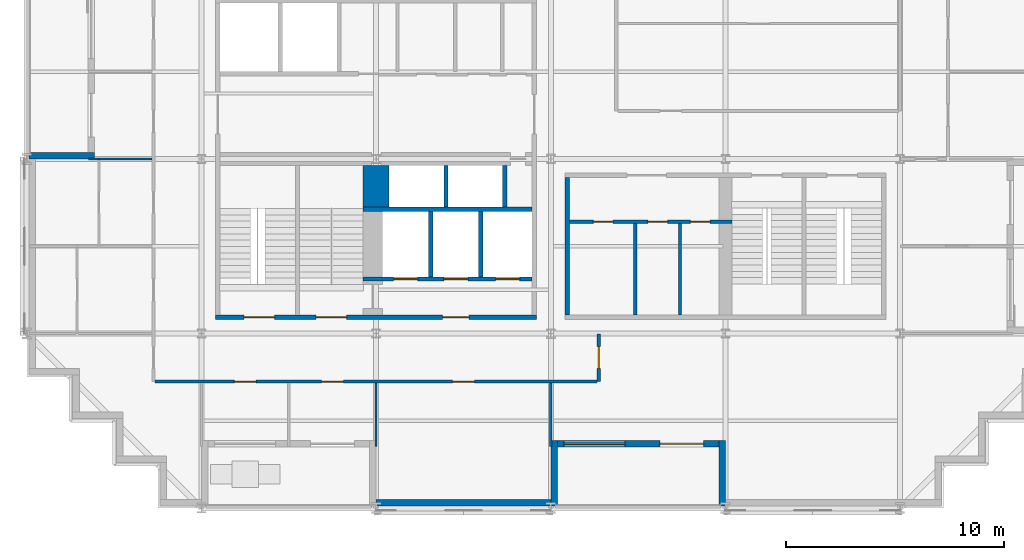
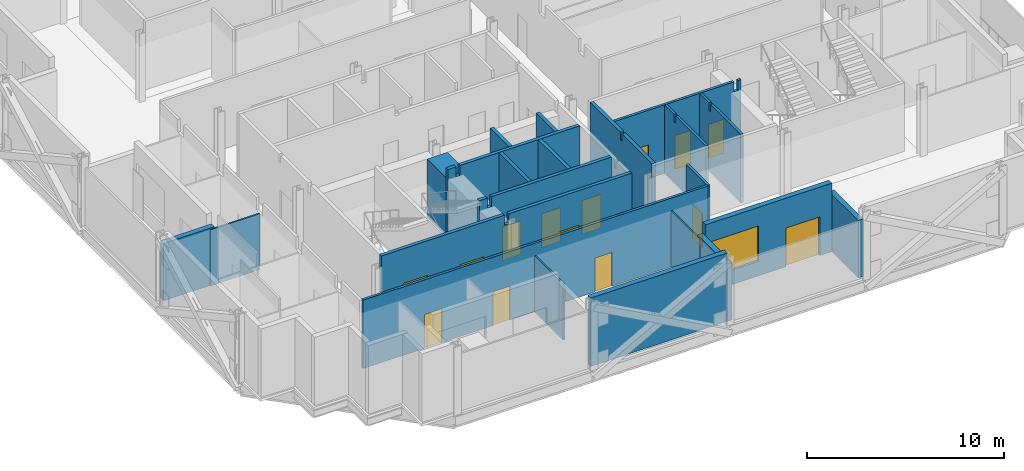
# One storey, part 6 of 15: 23 walls, 14 doors, 1 window, 15 openings.
"""IFC4 building model written with IfcOpenShell, lengths in metres."""

import ifcopenshell
import ifcopenshell.guid

model = None  # the IFC model being written
_history = None  # IfcOwnerHistory: only IFC2X3 demands one
_inside = {}  # id of a spatial element -> (the spatial element, [elements in it])
_under = {}  # id of a project, library or spatial element -> (it, [spatial elements below it])
_declared = {}  # id of a project -> (the project, [libraries it declares])
_typed = {}  # id of a type object -> (the type object, [elements of that type])
_made_of = {}  # id of a material, layer set ... -> (it, [elements and type objects made of it])


def new_model(schema):
    """Start an empty IFC model of exactly this schema.

    Asked for "IFC4X3", IfcOpenShell would pick the latest addendum, in which some entities
    have other attributes; the version numbers below select the first issue.
    IFC2X3 requires an IfcOwnerHistory on every rooted entity: one is made here for all.
    """
    global model, _history
    if schema == "IFC4X3":
        model = ifcopenshell.file(schema_version=(4, 3, 0, 0))
    else:
        model = ifcopenshell.file(schema=schema)
    _inside.clear()
    _under.clear()
    _declared.clear()
    _typed.clear()
    _made_of.clear()
    _history = None
    if model.schema == "IFC2X3":
        org = make("IfcOrganization", Name="unknown")
        user = make(
            "IfcPersonAndOrganization",
            ThePerson=make("IfcPerson", FamilyName="unknown"),
            TheOrganization=org,
        )
        app = make(
            "IfcApplication",
            ApplicationDeveloper=org,
            Version="unknown",
            ApplicationFullName="unknown",
            ApplicationIdentifier="unknown",
        )
        _history = make(
            "IfcOwnerHistory",
            OwningUser=user,
            OwningApplication=app,
            ChangeAction="ADDED",
            CreationDate=0,
        )
    return model


def make(cls, **values):
    """One entity of the class cls with the attributes given. An attribute that is None is left unset."""
    return model.create_entity(
        cls, **{name: value for name, value in values.items() if value is not None}
    )


def rooted(cls, **values):
    """An entity with a GlobalId (a new one), such as an element, a storey or a relation."""
    return make(cls, GlobalId=ifcopenshell.guid.new(), OwnerHistory=_history, **values)


def si_unit(unit_type, name, prefix=None):
    """IfcSIUnit, for example si_unit("LENGTHUNIT", "METRE", prefix="MILLI")."""
    return make("IfcSIUnit", UnitType=unit_type, Prefix=prefix, Name=name)


def assignment(units):
    """IfcUnitAssignment: the units of a project."""
    return None if units is None else make("IfcUnitAssignment", Units=units)


def point(xyz):
    """IfcCartesianPoint."""
    return None if xyz is None else make("IfcCartesianPoint", Coordinates=xyz)


def direction(xyz):
    """IfcDirection."""
    return None if xyz is None else make("IfcDirection", DirectionRatios=xyz)


def frame(location, z_axis=None, x_axis=None):
    """IfcAxis2Placement3D, a coordinate frame: its origin and axes. An axis left out is left unset."""
    return make(
        "IfcAxis2Placement3D",
        Location=point(location),
        Axis=direction(z_axis),
        RefDirection=direction(x_axis),
    )


def frame_2d(location, x_axis=None):
    """IfcAxis2Placement2D, a coordinate frame in the plane: its origin and x axis."""
    return make(
        "IfcAxis2Placement2D", Location=point(location), RefDirection=direction(x_axis)
    )


def origin():
    """The frame at (0, 0, 0) with its axes left unset."""
    return frame((0.0, 0.0, 0.0))


def place(relative_to, where):
    """IfcLocalPlacement: puts the frame where relative to a parent placement (None: the world)."""
    return make(
        "IfcLocalPlacement", PlacementRelTo=relative_to, RelativePlacement=where
    )


def context(
    kind, dimensions, precision=None, world=None, true_north=None, identifier=None
):
    """IfcGeometricRepresentationContext, for example the 3D "Model" context."""
    return make(
        "IfcGeometricRepresentationContext",
        ContextIdentifier=identifier,
        ContextType=kind,
        CoordinateSpaceDimension=dimensions,
        Precision=precision,
        WorldCoordinateSystem=world,
        TrueNorth=true_north,
    )


def subcontext(parent, identifier, kind, view, scale=None):
    """IfcGeometricRepresentationSubContext, for example "Body" below "Model"."""
    return make(
        "IfcGeometricRepresentationSubContext",
        ContextIdentifier=identifier,
        ContextType=kind,
        ParentContext=parent,
        TargetScale=scale,
        TargetView=view,
    )


def project(units=None, contexts=None):
    """IfcProject with its units and contexts."""
    return rooted(
        "IfcProject",
        Name="project",
        RepresentationContexts=contexts,
        UnitsInContext=assignment(units),
    )


def spatial(cls, under=None, at=None, **own):
    """A site, building, storey or space (cls), placed at a placement, below another one or the project."""
    s = rooted(cls, ObjectPlacement=at, **own)
    if under is not None:
        _under.setdefault(under.id(), (under, []))[1].append(s)
    return s


def polyline(points):
    """IfcPolyline through the points."""
    return make("IfcPolyline", Points=[point(p) for p in points])


def profile(cls, at=None, kind="AREA", **sizes):
    """A parametric profile (cls). Its sizes go by their IFC names, for example OverallWidth=200.0."""
    return make(cls, ProfileType=kind, Position=at, **sizes)


def rectangle(**sizes):
    """IfcRectangleProfileDef."""
    return profile("IfcRectangleProfileDef", **sizes)


def outline(outer, holes=None, kind="AREA"):
    """IfcArbitraryClosedProfileDef: a profile drawn as a closed curve; with holes, ...WithVoids."""
    if holes is None:
        return make("IfcArbitraryClosedProfileDef", ProfileType=kind, OuterCurve=outer)
    return make(
        "IfcArbitraryProfileDefWithVoids",
        ProfileType=kind,
        OuterCurve=outer,
        InnerCurves=holes,
    )


def extrude(swept, where, along, depth):
    """IfcExtrudedAreaSolid: the profile swept, set in the frame where, extruded along a direction by depth."""
    return make(
        "IfcExtrudedAreaSolid",
        SweptArea=swept,
        Position=where,
        ExtrudedDirection=direction(along),
        Depth=depth,
    )


def shape(context_of_items, identifier, shape_type, items):
    """IfcShapeRepresentation: the items that make up one representation, for example the "Body"."""
    return make(
        "IfcShapeRepresentation",
        ContextOfItems=context_of_items,
        RepresentationIdentifier=identifier,
        RepresentationType=shape_type,
        Items=items,
    )


def material(Name=None, Category=None):
    """IfcMaterial."""
    return make("IfcMaterial", Name=Name, Category=Category)


def layer(
    of_material, thickness, ventilated=None, Name=None, Category=None, Priority=None
):
    """IfcMaterialLayer: one layer of a wall or slab, of a material (None: an air gap)."""
    return make(
        "IfcMaterialLayer",
        Material=of_material,
        LayerThickness=thickness,
        IsVentilated=ventilated,
        Name=Name,
        Category=Category,
        Priority=Priority,
    )


def layer_set(layers, Name=None):
    """IfcMaterialLayerSet."""
    return make("IfcMaterialLayerSet", MaterialLayers=layers, LayerSetName=Name)


def made_of(thing, what):
    """Note that an element or type object is made of a material, layer set ...; save() writes the relation."""
    if what is not None:
        _made_of.setdefault(what.id(), (what, []))[1].append(thing)
    return thing


def type_object(cls, material=None, **own):
    """A type object (cls), such as IfcWallType, which elements share."""
    return made_of(rooted(cls, **own), material)


def element(
    cls,
    number,
    at=None,
    inside=None,
    cuts=None,
    type_object=None,
    material=None,
    context=None,
    identifier="Body",
    shape_type=None,
    held_by="IfcProductDefinitionShape",
    body=None,
    shapes=None,
    **own,
):
    """One element of the class cls, such as IfcWall. Its Tag is "e" and its number.

    at: its placement. inside: the storey or other place that contains it. cuts: it is an
    opening in that element (IfcRelVoidsElement). A single representation is given by context,
    identifier, shape_type and body (its items); several are given by shapes. held_by: the class
    of the entity that holds the representations. save() writes the other relations.
    """
    e = rooted(cls, Tag="e%d" % number, ObjectPlacement=at, **own)
    if body is not None:
        shapes = [shape(context, identifier, shape_type, body)]
    if shapes is not None:
        e.Representation = make(held_by, Representations=shapes)
    if inside is not None:
        _inside.setdefault(inside.id(), (inside, []))[1].append(e)
    if cuts is not None:
        rooted(
            "IfcRelVoidsElement", RelatingBuildingElement=cuts, RelatedOpeningElement=e
        )
    if type_object is not None:
        _typed.setdefault(type_object.id(), (type_object, []))[1].append(e)
    return made_of(e, material)


def fill(opening, filler):
    """IfcRelFillsElement: the door or window that sits in an opening."""
    return rooted(
        "IfcRelFillsElement",
        RelatingOpeningElement=opening,
        RelatedBuildingElement=filler,
    )


def aggregate(whole, parts):
    """IfcRelAggregates: a whole, such as a stair, and the parts it consists of."""
    return rooted("IfcRelAggregates", RelatingObject=whole, RelatedObjects=parts)


def save(model, path):
    """Write the relations noted so far, then the file.

    IfcRelAggregates (storeys below a building ...), IfcRelContainedInSpatialStructure (elements
    in a storey), IfcRelDefinesByType, IfcRelAssociatesMaterial and IfcRelDeclares: one each for
    every whole, place, type object, material and project.
    """
    for whole, parts in _under.values():
        aggregate(whole, parts)
    for where, things in _inside.values():
        rooted(
            "IfcRelContainedInSpatialStructure",
            RelatedElements=things,
            RelatingStructure=where,
        )
    for kind, things in _typed.values():
        rooted("IfcRelDefinesByType", RelatedObjects=things, RelatingType=kind)
    for what, things in _made_of.values():
        rooted("IfcRelAssociatesMaterial", RelatedObjects=things, RelatingMaterial=what)
    for by, libraries in _declared.values():
        rooted("IfcRelDeclares", RelatingContext=by, RelatedDefinitions=libraries)
    model.write(path)


model = new_model("IFC4")

# Units and contexts
model_context = context("Model", 3, precision=1e-05, world=origin(), true_north=direction((0.0, 1.0)))
body_context = subcontext(model_context, "Body", "Model", "MODEL_VIEW")
ifc_project = project(units=[si_unit("LENGTHUNIT", "METRE"), si_unit("AREAUNIT", "SQUARE_METRE"), si_unit("VOLUMEUNIT", "CUBIC_METRE"), si_unit("PLANEANGLEUNIT", "RADIAN"), si_unit("MASSUNIT", "GRAM", prefix="KILO")], contexts=[model_context])

# Site, building, storey
site_placement = place(None, origin())
site = spatial("IfcSite", under=ifc_project, at=site_placement, CompositionType="ELEMENT")
building_placement = place(site_placement, origin())
building = spatial("IfcBuilding", under=site, at=building_placement, Name="Immortelle Media Tower", CompositionType="ELEMENT")
storey_placement = place(building_placement, frame((0.0, 0.0, 100.800048828125)))
storey = spatial("IfcBuildingStorey", under=building, at=storey_placement, Name="L19", CompositionType="ELEMENT", Elevation=100.800048828125)

# Wall, openings, doors
ifc_material_1 = material(Name="Fire-rated gypsum board", Category="gypsum")
ifc_layer_1 = layer(ifc_material_1, 0.02490234375)
ifc_material_2 = material(Name="Steel ASTM A653 SS Gr 50 stud frame with mineral wool", Category="steel")
ifc_layer_2 = layer(ifc_material_2, 0.10009765625)
ifc_layer_3 = layer(ifc_material_1, 0.02490234375)
ifc_layer_set_1 = layer_set([ifc_layer_1, ifc_layer_2, ifc_layer_3], Name="Steel ASTM A653 SS Gr 50 stud frame with mineral wool")
wall_type_1 = type_object("IfcWallType", Name="Core partition 150", PredefinedType="PARTITIONING", material=ifc_layer_set_1)
wall_1_placement = place(storey_placement, frame((24.85009765625, 13.125, 0.0), z_axis=(0.0, 0.0, 1.0), x_axis=(1.0, 0.0, 0.0)))
wall_1 = element("IfcWall", 1, at=wall_1_placement, inside=storey, type_object=wall_type_1, Name="Core partition SE", PredefinedType="PARTITIONING", context=body_context, shape_type="SweptSolid", body=[
    extrude(outline(polyline([(0.0, 0.0), (7.449951171875, 0.0), (7.449951171875, 4.25), (7.26953125, 4.25), (7.2685546875, 3.6318359375), (7.031494140625, 3.6318359375), (7.030517578125, 4.25), (0.0, 4.25), (0.0, 0.0)])), frame((0.0, 0.074951171875, 0.0), z_axis=(0.0, -1.0, 0.0), x_axis=(1.0, 0.0, 0.0)), (0.0, 0.0, 1.0), 0.14990234375),
])
opening_1_placement = place(wall_1_placement, frame((2.0, 0.0, 0.0), z_axis=(0.0, 0.0, 1.0), x_axis=(-1.0, 0.0, 0.0)))
opening_1 = element("IfcOpeningElement", 2, at=opening_1_placement, cuts=wall_1, Name="Opening N6-K015", PredefinedType="OPENING", context=body_context, shape_type="SweptSolid", body=[
    extrude(rectangle(XDim=0.89990234375, YDim=2.10009765625, at=frame_2d((0.449951171875, 1.050048828125))), frame((0.0, 0.0849609375, 0.0), z_axis=(0.0, -1.0, 0.0), x_axis=(1.0, 0.0, 0.0)), (0.0, 0.0, 1.0), 0.169921875),
])
opening_2_placement = place(wall_1_placement, frame((4.5, 0.0, 0.0), z_axis=(0.0, 0.0, 1.0), x_axis=(-1.0, 0.0, 0.0)))
opening_2 = element("IfcOpeningElement", 3, at=opening_2_placement, cuts=wall_1, Name="Opening N6-K017", PredefinedType="OPENING", context=body_context, shape_type="SweptSolid", body=[
    extrude(rectangle(XDim=0.89990234375, YDim=2.10009765625, at=frame_2d((0.449951171875, 1.050048828125))), frame((0.0, 0.0849609375, 0.0), z_axis=(0.0, -1.0, 0.0), x_axis=(1.0, 0.0, 0.0)), (0.0, 0.0, 1.0), 0.169921875),
])
opening_3_placement = place(wall_1_placement, frame((6.449951171875, 0.0, 0.0), z_axis=(0.0, 0.0, 1.0), x_axis=(-1.0, 0.0, 0.0)))
opening_3 = element("IfcOpeningElement", 4, at=opening_3_placement, cuts=wall_1, Name="Opening N6-K018", PredefinedType="OPENING", context=body_context, shape_type="SweptSolid", body=[
    extrude(rectangle(XDim=0.89990234375, YDim=2.10009765625, at=frame_2d((0.449951171875, 1.050048828125))), frame((0.0, 0.0849609375, 0.0), z_axis=(0.0, -1.0, 0.0), x_axis=(1.0, 0.0, 0.0)), (0.0, 0.0, 1.0), 0.169921875),
])
ifc_material_3 = material(Name="Timber", Category="wood")
door_type_1 = type_object("IfcDoorType", Name="Room door 900 x 2100", OperationType="NOTDEFINED", PredefinedType="NOTDEFINED", material=ifc_material_3)
door_1_placement = place(opening_1_placement, origin())
door_1 = element("IfcDoor", 5, at=door_1_placement, inside=storey, type_object=door_type_1, Name="Room N6-K015", OperationType="SINGLE_SWING_RIGHT", OverallHeight=2.10009765625, OverallWidth=0.89990234375, PredefinedType="NOTDEFINED", context=body_context, shape_type="SweptSolid", body=[
    extrude(rectangle(XDim=0.89990234375, YDim=2.10009765625, at=frame_2d((0.449951171875, 1.050048828125))), frame((0.0, 0.02490234375, 0.0), z_axis=(0.0, -1.0, 0.0), x_axis=(1.0, 0.0, 0.0)), (0.0, 0.0, 1.0), 0.050048828125),
])
fill(opening_1, door_1)
door_2_placement = place(opening_2_placement, origin())
door_2 = element("IfcDoor", 6, at=door_2_placement, inside=storey, type_object=door_type_1, Name="Room N6-K017", OperationType="SINGLE_SWING_RIGHT", OverallHeight=2.10009765625, OverallWidth=0.89990234375, PredefinedType="NOTDEFINED", context=body_context, shape_type="SweptSolid", body=[
    extrude(rectangle(XDim=0.89990234375, YDim=2.10009765625, at=frame_2d((0.449951171875, 1.050048828125))), frame((0.0, 0.02490234375, 0.0), z_axis=(0.0, -1.0, 0.0), x_axis=(1.0, 0.0, 0.0)), (0.0, 0.0, 1.0), 0.050048828125),
])
fill(opening_2, door_2)
ifc_material_4 = material(Name="Galvanised steel door leaf and frame ASTM A653", Category="steel")
door_type_2 = type_object("IfcDoorType", Name="Service door 900 x 2100", OperationType="NOTDEFINED", PredefinedType="NOTDEFINED", material=ifc_material_4)
door_3_placement = place(opening_3_placement, origin())
door_3 = element("IfcDoor", 7, at=door_3_placement, inside=storey, type_object=door_type_2, Name="Service N6-K018", OperationType="SINGLE_SWING_RIGHT", OverallHeight=2.10009765625, OverallWidth=0.89990234375, PredefinedType="NOTDEFINED", context=body_context, shape_type="SweptSolid", body=[
    extrude(rectangle(XDim=0.89990234375, YDim=2.10009765625, at=frame_2d((0.449951171875, 1.050048828125))), frame((0.0, 0.02490234375, 0.0), z_axis=(0.0, -1.0, 0.0), x_axis=(1.0, 0.0, 0.0)), (0.0, 0.0, 1.0), 0.050048828125),
])
fill(opening_3, door_3)

# Walls
for number, where, z_axis, x_axis, name in (
    (8, (27.875, 8.85009765625, 0.0), (0.0, 0.0, 1.0), (0.0, 1.0, 0.0), "Core partition SE"),
    (9, (29.925048828125, 8.85009765625, 0.0), (0.0, 0.0, 1.0), (0.0, 1.0, 0.0), "Core partition SE"),
):
    element("IfcWall", number, at=place(storey_placement, frame(where, z_axis=z_axis, x_axis=x_axis)), inside=storey, type_object=wall_type_1, Name=name, PredefinedType="PARTITIONING", context=body_context, shape_type="SweptSolid", body=[
        extrude(outline(polyline([(0.0, 0.0), (4.199951171875, 0.0), (4.199951171875, 4.25), (3.2314453125, 4.25), (3.23046875, 3.7890625), (3.069580078125, 3.7890625), (3.068603515625, 4.25), (0.0, 4.25), (0.0, 0.0)])), frame((0.0, 0.074951171875, 0.0), z_axis=(0.0, -1.0, 0.0), x_axis=(1.0, 0.0, 0.0)), (0.0, 0.0, 1.0), 0.14990234375),
    ])

# Wall, openings, doors
ifc_layer_4 = layer(ifc_material_1, 0.03759765625)
ifc_layer_5 = layer(ifc_material_2, 0.125)
ifc_layer_6 = layer(ifc_material_1, 0.03759765625)
ifc_layer_set_2 = layer_set([ifc_layer_4, ifc_layer_5, ifc_layer_6], Name="Steel ASTM A653 SS Gr 50 stud frame with mineral wool")
wall_type_2 = type_object("IfcWallType", Name="Core shaft wall 200", PredefinedType="PARTITIONING", material=ifc_layer_set_2)
wall_2_placement = place(storey_placement, frame((15.39990234375, 10.5, 0.0), z_axis=(0.0, 0.0, 1.0), x_axis=(1.0, 0.0, 0.0)))
wall_2 = element("IfcWall", 10, at=wall_2_placement, inside=storey, type_object=wall_type_2, Name="Core shaft wall SW", PredefinedType="PARTITIONING", context=body_context, shape_type="SweptSolid", body=[
    extrude(outline(polyline([(0.0, 0.0), (7.75, 0.0), (7.75, 4.25), (0.719482421875, 4.25), (0.718505859375, 3.6318359375), (0.4814453125, 3.6318359375), (0.48046875, 4.25), (0.0, 4.25), (0.0, 0.0)])), frame((0.0, 0.10009765625, 0.0), z_axis=(0.0, -1.0, 0.0), x_axis=(1.0, 0.0, 0.0)), (0.0, 0.0, 1.0), 0.199951171875),
])
opening_4_placement = place(wall_2_placement, frame((1.39990234375, 0.0, 0.0)))
opening_4 = element("IfcOpeningElement", 11, at=opening_4_placement, cuts=wall_2, Name="Opening LD", PredefinedType="OPENING", context=body_context, shape_type="SweptSolid", body=[
    extrude(rectangle(XDim=1.10009765625, YDim=2.10009765625, at=frame_2d((0.550048828125, 1.050048828125))), frame((0.0, 0.10986328125, 0.0), z_axis=(0.0, -1.0, 0.0), x_axis=(1.0, 0.0, 0.0)), (0.0, 0.0, 1.0), 0.219970703125),
])
opening_5_placement = place(wall_2_placement, frame((3.699951171875, 0.0, 0.0)))
opening_5 = element("IfcOpeningElement", 12, at=opening_5_placement, cuts=wall_2, Name="Opening LD", PredefinedType="OPENING", context=body_context, shape_type="SweptSolid", body=[
    extrude(rectangle(XDim=1.10009765625, YDim=2.10009765625, at=frame_2d((0.550048828125, 1.050048828125))), frame((0.0, 0.10986328125, 0.0), z_axis=(0.0, -1.0, 0.0), x_axis=(1.0, 0.0, 0.0)), (0.0, 0.0, 1.0), 0.219970703125),
])
opening_6_placement = place(wall_2_placement, frame((6.074951171875, 0.0, 0.0)))
opening_6 = element("IfcOpeningElement", 13, at=opening_6_placement, cuts=wall_2, Name="Opening LD", PredefinedType="OPENING", context=body_context, shape_type="SweptSolid", body=[
    extrude(rectangle(XDim=1.10009765625, YDim=2.10009765625, at=frame_2d((0.550048828125, 1.050048828125))), frame((0.0, 0.10986328125, 0.0), z_axis=(0.0, -1.0, 0.0), x_axis=(1.0, 0.0, 0.0)), (0.0, 0.0, 1.0), 0.219970703125),
])
ifc_material_5 = material(Name="Stainless steel AISI 304", Category="steel")
door_type_3 = type_object("IfcDoorType", Name="Landing door 1100 x 2100", OperationType="SLIDING_TO_LEFT", PredefinedType="NOTDEFINED", material=ifc_material_5)
door_4_placement = place(opening_4_placement, origin())
door_4 = element("IfcDoor", 14, at=door_4_placement, inside=storey, type_object=door_type_3, Name="Landing door FF1 L19", OperationType="SLIDING_TO_LEFT", OverallHeight=2.10009765625, OverallWidth=1.10009765625, PredefinedType="NOTDEFINED", context=body_context, shape_type="SweptSolid", body=[
    extrude(rectangle(XDim=1.10009765625, YDim=2.10009765625, at=frame_2d((0.550048828125, 1.050048828125))), frame((0.0, 0.02490234375, 0.0), z_axis=(0.0, -1.0, 0.0), x_axis=(1.0, 0.0, 0.0)), (0.0, 0.0, 1.0), 0.050048828125),
])
fill(opening_4, door_4)
door_5_placement = place(opening_5_placement, origin())
door_5 = element("IfcDoor", 15, at=door_5_placement, inside=storey, type_object=door_type_3, Name="Landing door FF2 L19", OperationType="SLIDING_TO_LEFT", OverallHeight=2.10009765625, OverallWidth=1.10009765625, PredefinedType="NOTDEFINED", context=body_context, shape_type="SweptSolid", body=[
    extrude(rectangle(XDim=1.10009765625, YDim=2.10009765625, at=frame_2d((0.550048828125, 1.050048828125))), frame((0.0, 0.02490234375, 0.0), z_axis=(0.0, -1.0, 0.0), x_axis=(1.0, 0.0, 0.0)), (0.0, 0.0, 1.0), 0.050048828125),
])
fill(opening_5, door_5)
door_6_placement = place(opening_6_placement, origin())
door_6 = element("IfcDoor", 16, at=door_6_placement, inside=storey, type_object=door_type_3, Name="Landing door FF3 L19", OperationType="SLIDING_TO_LEFT", OverallHeight=2.10009765625, OverallWidth=1.10009765625, PredefinedType="NOTDEFINED", context=body_context, shape_type="SweptSolid", body=[
    extrude(rectangle(XDim=1.10009765625, YDim=2.10009765625, at=frame_2d((0.550048828125, 1.050048828125))), frame((0.0, 0.02490234375, 0.0), z_axis=(0.0, -1.0, 0.0), x_axis=(1.0, 0.0, 0.0)), (0.0, 0.0, 1.0), 0.050048828125),
])
fill(opening_6, door_6)

# Walls
wall_3_placement = place(storey_placement, frame((15.39990234375, 13.699951171875, 0.0), z_axis=(0.0, 0.0, 1.0), x_axis=(1.0, 0.0, 0.0)))
element("IfcWall", 17, at=wall_3_placement, inside=storey, type_object=wall_type_2, Name="Core shaft wall SW", PredefinedType="PARTITIONING", context=body_context, shape_type="SweptSolid", body=[
    extrude(outline(polyline([(0.0, 0.0), (7.75, 0.0), (7.75, 4.25), (0.719482421875, 4.25), (0.718505859375, 3.6318359375), (0.4814453125, 3.6318359375), (0.48046875, 4.25), (0.0, 4.25), (0.0, 0.0)])), frame((0.0, 0.10009765625, 0.0), z_axis=(0.0, -1.0, 0.0), x_axis=(1.0, 0.0, 0.0)), (0.0, 0.0, 1.0), 0.199951171875),
])
wall_4_placement = place(storey_placement, frame((18.5, 10.60009765625, 0.0), z_axis=(0.0, 0.0, 1.0), x_axis=(0.0, 1.0, 0.0)))
element("IfcWall", 18, at=wall_4_placement, inside=storey, type_object=wall_type_2, Name="Core shaft wall SW", PredefinedType="PARTITIONING", context=body_context, shape_type="SweptSolid", body=[
    extrude(rectangle(XDim=3.0, YDim=0.199951171875, at=frame_2d((1.5, 0.0))), origin(), (0.0, 0.0, 1.0), 4.25),
])
wall_5_placement = place(storey_placement, frame((19.199951171875, 13.800048828125, 0.0), z_axis=(0.0, 0.0, 1.0), x_axis=(0.0, 1.0, 0.0)))
element("IfcWall", 19, at=wall_5_placement, inside=storey, type_object=wall_type_2, Name="Core shaft wall SW", PredefinedType="PARTITIONING", context=body_context, shape_type="SweptSolid", body=[
    extrude(rectangle(XDim=1.89990234375, YDim=0.199951171875, at=frame_2d((0.949951171875, 0.0))), origin(), (0.0, 0.0, 1.0), 4.25),
])
wall_6_placement = place(storey_placement, frame((20.800048828125, 10.60009765625, 0.0), z_axis=(0.0, 0.0, 1.0), x_axis=(0.0, 1.0, 0.0)))
element("IfcWall", 20, at=wall_6_placement, inside=storey, type_object=wall_type_2, Name="Core shaft wall SW", PredefinedType="PARTITIONING", context=body_context, shape_type="SweptSolid", body=[
    extrude(rectangle(XDim=3.0, YDim=0.199951171875, at=frame_2d((1.5, 0.0))), origin(), (0.0, 0.0, 1.0), 4.25),
])
wall_7_placement = place(storey_placement, frame((21.89990234375, 13.800048828125, 0.0), z_axis=(0.0, 0.0, 1.0), x_axis=(0.0, 1.0, 0.0)))
element("IfcWall", 21, at=wall_7_placement, inside=storey, type_object=wall_type_2, Name="Core shaft wall SW", PredefinedType="PARTITIONING", context=body_context, shape_type="SweptSolid", body=[
    extrude(rectangle(XDim=1.89990234375, YDim=0.199951171875, at=frame_2d((0.949951171875, 0.0))), origin(), (0.0, 0.0, 1.0), 4.25),
])
wall_8_placement = place(storey_placement, frame((24.75, 8.85009765625, 0.0), z_axis=(0.0, 0.0, 1.0), x_axis=(0.0, 1.0, 0.0)))
element("IfcWall", 22, at=wall_8_placement, inside=storey, type_object=wall_type_2, Name="Core shaft wall SE", PredefinedType="PARTITIONING", context=body_context, shape_type="SweptSolid", body=[
    extrude(outline(polyline([(0.0, 0.0), (6.2998046875, 0.0), (6.300048828125, 4.25), (3.2314453125, 4.25), (3.23046875, 3.7890625), (3.069580078125, 3.7890625), (3.068603515625, 4.25), (0.0, 4.25), (0.0, 0.0)])), frame((0.0, 0.10009765625, 0.0), z_axis=(0.0, -1.0, 0.0), x_axis=(1.0, 0.0, 0.0)), (0.0, 0.0, 1.0), 0.199951171875),
])

# Wall, openings, doors
ifc_layer_7 = layer(ifc_material_1, 0.012451171875)
ifc_layer_8 = layer(ifc_material_2, 0.125)
ifc_layer_9 = layer(ifc_material_1, 0.012451171875)
ifc_layer_set_3 = layer_set([ifc_layer_7, ifc_layer_8, ifc_layer_9], Name="Steel ASTM A653 SS Gr 50 stud frame with mineral wool")
wall_type_3 = type_object("IfcWallType", Name="Corridor wall 150", PredefinedType="PARTITIONING", material=ifc_layer_set_3)
wall_9_placement = place(storey_placement, frame((5.875, 5.800048828125, 0.0), z_axis=(0.0, 0.0, 1.0), x_axis=(1.0, 0.0, 0.0)))
wall_9 = element("IfcWall", 23, at=wall_9_placement, inside=storey, type_object=wall_type_3, Name="Partition L19-005", PredefinedType="PARTITIONING", context=body_context, shape_type="SweptSolid", body=[
    extrude(rectangle(XDim=20.25, YDim=0.14990234375, at=frame_2d((10.125, 0.0))), origin(), (0.0, 0.0, 1.0), 4.25),
])
opening_7_placement = place(wall_9_placement, frame((14.625, 0.0, 0.0), z_axis=(0.0, 0.0, 1.0), x_axis=(-1.0, 0.0, 0.0)))
opening_7 = element("IfcOpeningElement", 24, at=opening_7_placement, cuts=wall_9, Name="Opening N6-F001", PredefinedType="OPENING", context=body_context, shape_type="SweptSolid", body=[
    extrude(rectangle(XDim=1.0, YDim=2.10009765625, at=frame_2d((0.5, 1.050048828125))), frame((0.0, 0.0849609375, 0.0), z_axis=(0.0, -1.0, 0.0), x_axis=(1.0, 0.0, 0.0)), (0.0, 0.0, 1.0), 0.169921875),
])
opening_8_placement = place(wall_9_placement, frame((4.625, 0.0, 0.0), z_axis=(0.0, 0.0, 1.0), x_axis=(-1.0, 0.0, 0.0)))
opening_8 = element("IfcOpeningElement", 25, at=opening_8_placement, cuts=wall_9, Name="Opening N6-F002", PredefinedType="OPENING", context=body_context, shape_type="SweptSolid", body=[
    extrude(rectangle(XDim=1.0, YDim=2.10009765625, at=frame_2d((0.5, 1.050048828125))), frame((0.0, 0.0849609375, 0.0), z_axis=(0.0, -1.0, 0.0), x_axis=(1.0, 0.0, 0.0)), (0.0, 0.0, 1.0), 0.169921875),
])
opening_9_placement = place(wall_9_placement, frame((8.625, 0.0, 0.0), z_axis=(0.0, 0.0, 1.0), x_axis=(-1.0, 0.0, 0.0)))
opening_9 = element("IfcOpeningElement", 26, at=opening_9_placement, cuts=wall_9, Name="Opening N6-F003", PredefinedType="OPENING", context=body_context, shape_type="SweptSolid", body=[
    extrude(rectangle(XDim=1.0, YDim=2.10009765625, at=frame_2d((0.5, 1.050048828125))), frame((0.0, 0.0849609375, 0.0), z_axis=(0.0, -1.0, 0.0), x_axis=(1.0, 0.0, 0.0)), (0.0, 0.0, 1.0), 0.169921875),
])
ifc_material_6 = material(Name="Timber veneered door leaf, galvanised steel frame ASTM A653", Category="steel")
door_type_4 = type_object("IfcDoorType", Name="Room door 1000 x 2100", OperationType="NOTDEFINED", PredefinedType="DOOR", material=ifc_material_6)
door_7_placement = place(opening_7_placement, origin())
door_7 = element("IfcDoor", 27, at=door_7_placement, inside=storey, type_object=door_type_4, Name="Door N6-F001", OperationType="SINGLE_SWING_RIGHT", OverallHeight=2.10009765625, OverallWidth=1.0, PredefinedType="DOOR", context=body_context, shape_type="SweptSolid", body=[
    extrude(rectangle(XDim=1.0, YDim=2.10009765625, at=frame_2d((0.5, 1.050048828125))), frame((0.0, 0.02490234375, 0.0), z_axis=(0.0, -1.0, 0.0), x_axis=(1.0, 0.0, 0.0)), (0.0, 0.0, 1.0), 0.050048828125),
])
fill(opening_7, door_7)
door_8_placement = place(opening_8_placement, origin())
door_8 = element("IfcDoor", 28, at=door_8_placement, inside=storey, type_object=door_type_4, Name="Door N6-F002", OperationType="SINGLE_SWING_LEFT", OverallHeight=2.10009765625, OverallWidth=1.0, PredefinedType="DOOR", context=body_context, shape_type="SweptSolid", body=[
    extrude(rectangle(XDim=1.0, YDim=2.10009765625, at=frame_2d((0.5, 1.050048828125))), frame((0.0, 0.02490234375, 0.0), z_axis=(0.0, -1.0, 0.0), x_axis=(1.0, 0.0, 0.0)), (0.0, 0.0, 1.0), 0.050048828125),
])
fill(opening_8, door_8)
door_9_placement = place(opening_9_placement, origin())
door_9 = element("IfcDoor", 29, at=door_9_placement, inside=storey, type_object=door_type_4, Name="Door N6-F003", OperationType="SINGLE_SWING_LEFT", OverallHeight=2.10009765625, OverallWidth=1.0, PredefinedType="DOOR", context=body_context, shape_type="SweptSolid", body=[
    extrude(rectangle(XDim=1.0, YDim=2.10009765625, at=frame_2d((0.5, 1.050048828125))), frame((0.0, 0.02490234375, 0.0), z_axis=(0.0, -1.0, 0.0), x_axis=(1.0, 0.0, 0.0)), (0.0, 0.0, 1.0), 0.050048828125),
])
fill(opening_9, door_9)

# Wall, opening, door
wall_10_placement = place(storey_placement, frame((26.199951171875, 5.800048828125, 0.0), z_axis=(0.0, 0.0, 1.0), x_axis=(0.0, 1.0, 0.0)))
wall_10 = element("IfcWall", 30, at=wall_10_placement, inside=storey, type_object=wall_type_3, Name="Partition L19-007", PredefinedType="PARTITIONING", context=body_context, shape_type="SweptSolid", body=[
    extrude(rectangle(XDim=2.169921875, YDim=0.14990234375, at=frame_2d((1.0849609375, 0.0))), origin(), (0.0, 0.0, 1.0), 4.25),
])
opening_10_placement = place(wall_10_placement, frame((1.60009765625, 0.0, 0.0), z_axis=(0.0, 0.0, 1.0), x_axis=(-1.0, 0.0, 0.0)))
opening_10 = element("IfcOpeningElement", 31, at=opening_10_placement, cuts=wall_10, Name="Opening N6-F004", PredefinedType="OPENING", context=body_context, shape_type="SweptSolid", body=[
    extrude(rectangle(XDim=1.0, YDim=2.10009765625, at=frame_2d((0.5, 1.050048828125))), frame((0.0, 0.0849609375, 0.0), z_axis=(0.0, -1.0, 0.0), x_axis=(1.0, 0.0, 0.0)), (0.0, 0.0, 1.0), 0.169921875),
])
door_10_placement = place(opening_10_placement, origin())
door_10 = element("IfcDoor", 32, at=door_10_placement, inside=storey, type_object=door_type_4, Name="Door N6-F004", OperationType="SINGLE_SWING_LEFT", OverallHeight=2.10009765625, OverallWidth=1.0, PredefinedType="DOOR", context=body_context, shape_type="SweptSolid", body=[
    extrude(rectangle(XDim=1.0, YDim=2.10009765625, at=frame_2d((0.5, 1.050048828125))), frame((0.0, 0.02490234375, 0.0), z_axis=(0.0, -1.0, 0.0), x_axis=(1.0, 0.0, 0.0)), (0.0, 0.0, 1.0), 0.050048828125),
])
fill(opening_10, door_10)

# Walls
ifc_material_7 = material(Name="Pale aluminium cladding panel", Category="aluminium")
ifc_layer_10 = layer(ifc_material_7, 0.030029296875)
ifc_layer_11 = layer(ifc_material_2, 0.257568359375)
ifc_material_8 = material(Name="Moisture-resistant gypsum board", Category="gypsum")
ifc_layer_12 = layer(ifc_material_8, 0.012451171875)
ifc_layer_set_4 = layer_set([ifc_layer_10, ifc_layer_11, ifc_layer_12], Name="Steel ASTM A653 SS Gr 50 stud frame with mineral wool")
wall_type_4 = type_object("IfcWallType", Name="Facade wall 300", PredefinedType="SOLIDWALL", material=ifc_layer_set_4)
wall_11_placement = place(storey_placement, frame((0.10009765625, 16.14990234375, 0.0), z_axis=(0.0, 0.0, 1.0), x_axis=(1.0, 0.0, 0.0)))
element("IfcWall", 33, at=wall_11_placement, inside=storey, type_object=wall_type_4, Name="Loggia cheek wall L19 W", PredefinedType="SOLIDWALL", context=body_context, shape_type="SweptSolid", body=[
    extrude(rectangle(XDim=3.0, YDim=0.300048828125, at=frame_2d((1.5, 0.0))), origin(), (0.0, 0.0, 1.0), 3.555908203125),
])
wall_12_placement = place(storey_placement, frame((16.0, 0.25, 0.0), z_axis=(0.0, 0.0, 1.0), x_axis=(1.0, 0.0, 0.0)))
element("IfcWall", 34, at=wall_12_placement, inside=storey, type_object=wall_type_4, Name="Facade wall L19 S7", PredefinedType="SOLIDWALL", context=body_context, shape_type="SweptSolid", body=[
    extrude(rectangle(XDim=8.0, YDim=0.300048828125, at=frame_2d((4.0, 0.0))), origin(), (0.0, 0.0, 1.0), 4.25),
])

# Wall, openings, door, window
wall_13_placement = place(storey_placement, frame((24.300048828125, 2.949951171875, 0.0), z_axis=(0.0, 0.0, 1.0), x_axis=(1.0, 0.0, 0.0)))
wall_13 = element("IfcWall", 35, at=wall_13_placement, inside=storey, type_object=wall_type_4, Name="Loggia wall L19 S7", PredefinedType="SOLIDWALL", context=body_context, shape_type="SweptSolid", body=[
    extrude(rectangle(XDim=7.39990234375, YDim=0.300048828125, at=frame_2d((3.699951171875, 0.0))), origin(), (0.0, 0.0, 1.0), 4.25),
])
opening_11_placement = place(wall_13_placement, frame((0.300048828125, 0.0, 0.89990234375)))
opening_11 = element("IfcOpeningElement", 36, at=opening_11_placement, cuts=wall_13, Name="Opening W1", PredefinedType="OPENING", context=body_context, shape_type="SweptSolid", body=[
    extrude(rectangle(XDim=2.800048828125, YDim=2.199951171875, at=frame_2d((1.39990234375, 1.10009765625))), frame((0.0, 0.159912109375, 0.0), z_axis=(0.0, -1.0, 0.0), x_axis=(1.0, 0.0, 0.0)), (0.0, 0.0, 1.0), 0.320068359375),
])
opening_12_placement = place(wall_13_placement, frame((4.699951171875, 0.0, 0.0)))
opening_12 = element("IfcOpeningElement", 37, at=opening_12_placement, cuts=wall_13, Name="Opening N6-E004", PredefinedType="OPENING", context=body_context, shape_type="SweptSolid", body=[
    extrude(rectangle(XDim=2.0, YDim=2.39990234375, at=frame_2d((1.0, 1.199951171875))), frame((0.0, 0.159912109375, 0.0), z_axis=(0.0, -1.0, 0.0), x_axis=(1.0, 0.0, 0.0)), (0.0, 0.0, 1.0), 0.320068359375),
])
ifc_material_9 = material(Name="Aluminium frame, glazed leaves", Category="aluminium")
door_type_5 = type_object("IfcDoorType", Name="Loggia door 2000 x 2400", OperationType="DOUBLE_DOOR_SINGLE_SWING", PredefinedType="DOOR", material=ifc_material_9)
door_11_placement = place(opening_12_placement, origin())
door_11 = element("IfcDoor", 38, at=door_11_placement, inside=storey, type_object=door_type_5, Name="Door N6-E004", OperationType="DOUBLE_DOOR_SINGLE_SWING", OverallHeight=2.39990234375, OverallWidth=2.0, PredefinedType="DOOR", context=body_context, shape_type="SweptSolid", body=[
    extrude(rectangle(XDim=2.0, YDim=2.39990234375, at=frame_2d((1.0, 1.199951171875))), frame((0.0, 0.02490234375, 0.0), z_axis=(0.0, -1.0, 0.0), x_axis=(1.0, 0.0, 0.0)), (0.0, 0.0, 1.0), 0.050048828125),
])
fill(opening_12, door_11)
ifc_material_10 = material(Name="Aluminium frame", Category="aluminium")
window_type = type_object("IfcWindowType", Name="Window 2800 x 2200", PartitioningType="SINGLE_PANEL", PredefinedType="WINDOW", material=ifc_material_10)
window_placement = place(opening_11_placement, origin())
window = element("IfcWindow", 39, at=window_placement, inside=storey, type_object=window_type, Name="Window L19 L19-R7-B2", OverallHeight=2.199951171875, OverallWidth=2.800048828125, PartitioningType="SINGLE_PANEL", PredefinedType="WINDOW", context=body_context, shape_type="SweptSolid", body=[
    extrude(rectangle(XDim=2.800048828125, YDim=2.199951171875, at=frame_2d((1.39990234375, 1.10009765625))), frame((0.0, 0.030029296875, 0.0), z_axis=(0.0, -1.0, 0.0), x_axis=(1.0, 0.0, 0.0)), (0.0, 0.0, 1.0), 0.06005859375),
])
fill(opening_11, window)

# Walls
for number, where, z_axis, x_axis, name in (
    (40, (24.14990234375, 0.10009765625, 0.0), (0.0, 0.0, 1.0), (0.0, 1.0, 0.0), "Loggia cheek wall L19 S"),
    (41, (31.85009765625, 0.10009765625, 0.0), (0.0, 0.0, 1.0), (0.0, 1.0, 0.0), "Loggia cheek wall L19 S"),
):
    element("IfcWall", number, at=place(storey_placement, frame(where, z_axis=z_axis, x_axis=x_axis)), inside=storey, type_object=wall_type_4, Name=name, PredefinedType="SOLIDWALL", context=body_context, shape_type="SweptSolid", body=[
        extrude(rectangle(XDim=3.0, YDim=0.300048828125, at=frame_2d((1.5, 0.0))), origin(), (0.0, 0.0, 1.0), 3.555908203125),
    ])
ifc_material_11 = material(Name="Gypsum board", Category="gypsum")
ifc_layer_13 = layer(ifc_material_11, 0.012451171875)
ifc_layer_14 = layer(ifc_material_2, 0.074951171875)
ifc_layer_15 = layer(ifc_material_11, 0.012451171875)
ifc_layer_set_5 = layer_set([ifc_layer_13, ifc_layer_14, ifc_layer_15], Name="Steel ASTM A653 SS Gr 50 stud frame with mineral wool")
wall_type_5 = type_object("IfcWallType", Name="Partition 100", PredefinedType="PARTITIONING", material=ifc_layer_set_5)
for number, where, z_axis, x_axis, name in (
    (42, (16.0, 2.830078125, 0.0), (0.0, 0.0, 1.0), (0.0, 1.0, 0.0), "Partition L19-003"),
    (43, (24.0, 2.830078125, 0.0), (0.0, 0.0, 1.0), (0.0, 1.0, 0.0), "Partition L19-004"),
):
    element("IfcWall", number, at=place(storey_placement, frame(where, z_axis=z_axis, x_axis=x_axis)), inside=storey, type_object=wall_type_5, Name=name, PredefinedType="PARTITIONING", context=body_context, shape_type="SweptSolid", body=[
        extrude(rectangle(XDim=2.89501953125, YDim=0.10009765625, at=frame_2d((1.447509765625, 0.0))), origin(), (0.0, 0.0, 1.0), 3.469970703125),
    ])
wall_14_placement = place(storey_placement, frame((2.830078125, 16.0, 0.0), z_axis=(0.0, 0.0, 1.0), x_axis=(1.0, 0.0, 0.0)))
element("IfcWall", 44, at=wall_14_placement, inside=storey, type_object=wall_type_5, Name="Partition L19-017", PredefinedType="PARTITIONING", context=body_context, shape_type="SweptSolid", body=[
    extrude(rectangle(XDim=0.469970703125, YDim=0.10009765625, at=frame_2d((0.23486328125, 0.0))), origin(), (0.0, 0.0, 1.0), 3.469970703125),
])
wall_15_placement = place(storey_placement, frame((3.300048828125, 16.0, 0.0), z_axis=(0.0, 0.0, 1.0), x_axis=(1.0, 0.0, 0.0)))
element("IfcWall", 45, at=wall_15_placement, inside=storey, type_object=wall_type_5, Name="Partition L19-018", PredefinedType="PARTITIONING", context=body_context, shape_type="SweptSolid", body=[
    extrude(rectangle(XDim=2.425048828125, YDim=0.10009765625, at=frame_2d((1.21240234375, 0.0))), origin(), (0.0, 0.0, 1.0), 3.469970703125),
])
ifc_material_12 = material(Name="Concrete C60", Category="concrete")
ifc_layer_16 = layer(ifc_material_12, 1.199951171875)
ifc_layer_set_6 = layer_set([ifc_layer_16], Name="Concrete C60")
wall_type_6 = type_object("IfcWallType", Name="Stair shaft wall 1200", PredefinedType="PARTITIONING", material=ifc_layer_set_6)
wall_16_placement = place(storey_placement, frame((16.0, 13.800048828125, 0.0), z_axis=(0.0, 0.0, 1.0), x_axis=(0.0, 1.0, 0.0)))
element("IfcWall", 46, at=wall_16_placement, inside=storey, type_object=wall_type_6, Name="Stair shaft wall SW", PredefinedType="PARTITIONING", context=body_context, shape_type="SweptSolid", body=[
    extrude(rectangle(XDim=1.89990234375, YDim=1.199951171875, at=frame_2d((0.949951171875, 0.0))), origin(), (0.0, 0.0, 1.0), 3.6318359375),
])

# Wall, openings, doors
ifc_layer_17 = layer(ifc_material_12, 0.199951171875)
ifc_layer_set_7 = layer_set([ifc_layer_17], Name="Concrete C60")
wall_type_7 = type_object("IfcWallType", Name="Stair shaft wall 200", PredefinedType="PARTITIONING", material=ifc_layer_set_7)
wall_17_placement = place(storey_placement, frame((8.64990234375, 8.75, 0.0), z_axis=(0.0, 0.0, 1.0), x_axis=(1.0, 0.0, 0.0)))
wall_17 = element("IfcWall", 47, at=wall_17_placement, inside=storey, type_object=wall_type_7, Name="Stair shaft wall SW", PredefinedType="PARTITIONING", context=body_context, shape_type="SweptSolid", body=[
    extrude(outline(polyline([(0.0, 0.0), (14.7001953125, 0.0), (14.699951171875, 4.25), (7.469482421875, 4.25), (7.468505859375, 3.6318359375), (7.2314453125, 3.6318359375), (7.23046875, 4.25), (0.0, 4.25), (0.0, 0.0)])), frame((0.0, 0.10009765625, 0.0), z_axis=(0.0, -1.0, 0.0), x_axis=(1.0, 0.0, 0.0)), (0.0, 0.0, 1.0), 0.199951171875),
])
opening_13_placement = place(wall_17_placement, frame((1.300048828125, 0.0, 0.0)))
opening_13 = element("IfcOpeningElement", 48, at=opening_13_placement, cuts=wall_17, Name="Opening N6-K002", PredefinedType="OPENING", context=body_context, shape_type="SweptSolid", body=[
    extrude(rectangle(XDim=1.39990234375, YDim=2.10009765625, at=frame_2d((0.699951171875, 1.050048828125))), frame((0.0, 0.10986328125, 0.0), z_axis=(0.0, -1.0, 0.0), x_axis=(1.0, 0.0, 0.0)), (0.0, 0.0, 1.0), 0.219970703125),
])
opening_14_placement = place(wall_17_placement, frame((4.60009765625, 0.0, 0.0)))
opening_14 = element("IfcOpeningElement", 49, at=opening_14_placement, cuts=wall_17, Name="Opening N6-K003", PredefinedType="OPENING", context=body_context, shape_type="SweptSolid", body=[
    extrude(rectangle(XDim=1.39990234375, YDim=2.10009765625, at=frame_2d((0.699951171875, 1.050048828125))), frame((0.0, 0.10986328125, 0.0), z_axis=(0.0, -1.0, 0.0), x_axis=(1.0, 0.0, 0.0)), (0.0, 0.0, 1.0), 0.219970703125),
])
opening_15_placement = place(wall_17_placement, frame((10.39990234375, 0.0, 0.0)))
opening_15 = element("IfcOpeningElement", 50, at=opening_15_placement, cuts=wall_17, Name="Opening N6-K008", PredefinedType="OPENING", context=body_context, shape_type="SweptSolid", body=[
    extrude(rectangle(XDim=1.199951171875, YDim=2.10009765625, at=frame_2d((0.60009765625, 1.050048828125))), frame((0.0, 0.10986328125, 0.0), z_axis=(0.0, -1.0, 0.0), x_axis=(1.0, 0.0, 0.0)), (0.0, 0.0, 1.0), 0.219970703125),
])
door_type_6 = type_object("IfcDoorType", Name="Fire-fighting lobby door 1200 x 2100", OperationType="NOTDEFINED", PredefinedType="NOTDEFINED", material=ifc_material_4)
door_12_placement = place(opening_15_placement, origin())
door_12 = element("IfcDoor", 51, at=door_12_placement, inside=storey, type_object=door_type_6, Name="Fire-fighting lobby N6-K008", OperationType="SINGLE_SWING_LEFT", OverallHeight=2.10009765625, OverallWidth=1.199951171875, PredefinedType="NOTDEFINED", context=body_context, shape_type="SweptSolid", body=[
    extrude(rectangle(XDim=1.199951171875, YDim=2.10009765625, at=frame_2d((0.60009765625, 1.050048828125))), frame((0.0, 0.02490234375, 0.0), z_axis=(0.0, -1.0, 0.0), x_axis=(1.0, 0.0, 0.0)), (0.0, 0.0, 1.0), 0.050048828125),
])
fill(opening_15, door_12)
door_type_7 = type_object("IfcDoorType", Name="Stair door 1400 x 2100", OperationType="DOUBLE_DOOR_SINGLE_SWING", PredefinedType="NOTDEFINED", material=ifc_material_4)
door_13_placement = place(opening_13_placement, origin())
door_13 = element("IfcDoor", 52, at=door_13_placement, inside=storey, type_object=door_type_7, Name="Stair N6-K002", OperationType="DOUBLE_DOOR_SINGLE_SWING", OverallHeight=2.10009765625, OverallWidth=1.39990234375, PredefinedType="NOTDEFINED", context=body_context, shape_type="SweptSolid", body=[
    extrude(rectangle(XDim=1.39990234375, YDim=2.10009765625, at=frame_2d((0.699951171875, 1.050048828125))), frame((0.0, 0.02490234375, 0.0), z_axis=(0.0, -1.0, 0.0), x_axis=(1.0, 0.0, 0.0)), (0.0, 0.0, 1.0), 0.050048828125),
])
fill(opening_13, door_13)
door_14_placement = place(opening_14_placement, origin())
door_14 = element("IfcDoor", 53, at=door_14_placement, inside=storey, type_object=door_type_7, Name="Stair N6-K003", OperationType="DOUBLE_DOOR_SINGLE_SWING", OverallHeight=2.10009765625, OverallWidth=1.39990234375, PredefinedType="NOTDEFINED", context=body_context, shape_type="SweptSolid", body=[
    extrude(rectangle(XDim=1.39990234375, YDim=2.10009765625, at=frame_2d((0.699951171875, 1.050048828125))), frame((0.0, 0.02490234375, 0.0), z_axis=(0.0, -1.0, 0.0), x_axis=(1.0, 0.0, 0.0)), (0.0, 0.0, 1.0), 0.050048828125),
])
fill(opening_14, door_14)

save(model, "model.ifc")
